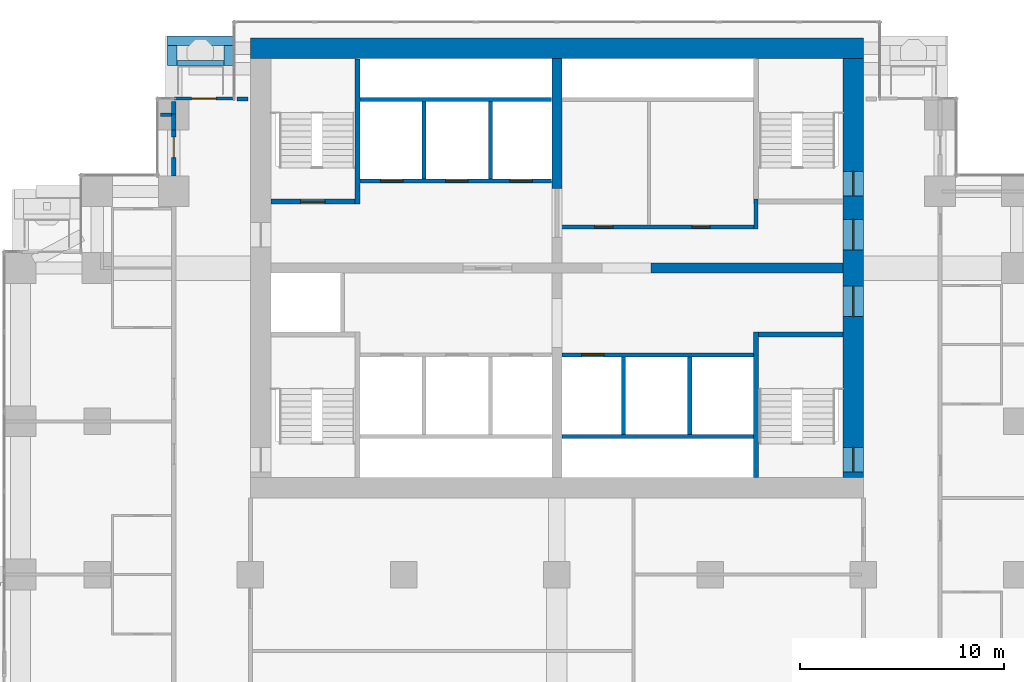
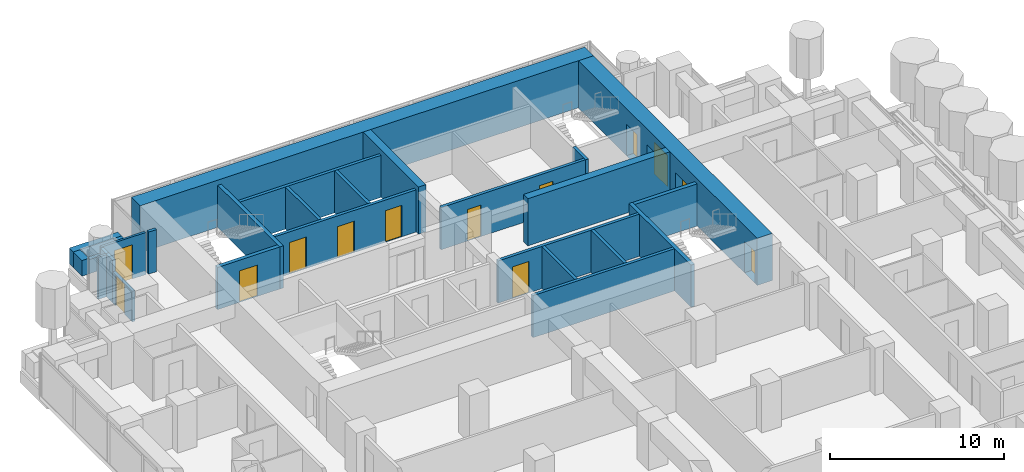
# One storey, part 15 of 20: 28 walls, 13 doors, 13 openings.
"""IFC4 building model written with IfcOpenShell, lengths in metres."""

from ifc_helpers import new_model, si_unit, direction, frame, frame_2d, origin, place, context, subcontext, project, spatial, rectangle, extrude, material, layer, layer_set, type_object, element, fill, save


model = new_model("IFC4")

# Units and contexts
model_context = context("Model", 3, precision=1e-05, world=origin(), true_north=direction((0.0, 1.0)))
body_context = subcontext(model_context, "Body", "Model", "MODEL_VIEW")
ifc_project = project(units=[si_unit("LENGTHUNIT", "METRE"), si_unit("AREAUNIT", "SQUARE_METRE"), si_unit("VOLUMEUNIT", "CUBIC_METRE"), si_unit("PLANEANGLEUNIT", "RADIAN"), si_unit("MASSUNIT", "GRAM", prefix="KILO")], contexts=[model_context])

# Site, building, storey
site_placement = place(None, origin())
site = spatial("IfcSite", under=ifc_project, at=site_placement, CompositionType="ELEMENT")
building_placement = place(site_placement, origin())
building = spatial("IfcBuilding", under=site, at=building_placement, Name="Pilkhan Gate Tower", CompositionType="ELEMENT")
storey_placement = place(building_placement, frame((0.0, 0.0, 98.89990234375)))
storey = spatial("IfcBuildingStorey", under=building, at=storey_placement, Name="L24", CompositionType="ELEMENT", Elevation=98.89990234375)

# Walls
ifc_material_1 = material(Name="Concrete C40/50", Category="concrete")
ifc_layer_1 = layer(ifc_material_1, 0.25)
ifc_layer_set_1 = layer_set([ifc_layer_1], Name="Balcony planter BP250")
wall_type_1 = type_object("IfcWallType", Name="Balcony planter BP250", PredefinedType="USERDEFINED", material=ifc_layer_set_1)
wall_1_placement = place(storey_placement, frame((56.39990234375, 92.52490234375, 0.0), z_axis=(0.0, 0.0, 1.0), x_axis=(1.0, 0.0, 0.0)))
element("IfcWall", 1, at=wall_1_placement, inside=storey, type_object=wall_type_1, Name="Balcony planter L24 N", ObjectType="BALCONY PLANTER", PredefinedType="USERDEFINED", context=body_context, shape_type="SweptSolid", body=[
    extrude(rectangle(XDim=2.300048828125, YDim=0.25, at=frame_2d((1.14990234375, 0.0))), origin(), (0.0, 0.0, 1.0), 1.0),
])
ifc_material_2 = material(Name="Board-marked Concrete C40/50", Category="concrete")
ifc_layer_2 = layer(ifc_material_2, 0.449951171875)
ifc_layer_set_2 = layer_set([ifc_layer_2], Name="Balcony planter lip BL450")
wall_type_2 = type_object("IfcWallType", Name="Balcony planter lip BL450", PredefinedType="USERDEFINED", material=ifc_layer_set_2)
wall_2_placement = place(storey_placement, frame((55.949951171875, 93.625, 0.0), z_axis=(0.0, 0.0, 1.0), x_axis=(1.0, 0.0, 0.0)))
element("IfcWall", 2, at=wall_2_placement, inside=storey, type_object=wall_type_2, Name="Balcony planter L24 N", ObjectType="BALCONY PLANTER", PredefinedType="USERDEFINED", context=body_context, shape_type="SweptSolid", body=[
    extrude(rectangle(XDim=3.199951171875, YDim=0.449951171875, at=frame_2d((1.60009765625, 0.0))), origin(), (0.0, 0.0, 1.0), 1.10009765625),
])
for number, where, z_axis, x_axis, name in (
    (3, (56.175048828125, 92.39990234375, 0.0), (0.0, 0.0, 1.0), (0.0, 1.0, 0.0), "Balcony planter L24 N"),
    (4, (58.925048828125, 92.39990234375, 0.0), (0.0, 0.0, 1.0), (0.0, 1.0, 0.0), "Balcony planter L24 N"),
):
    element("IfcWall", number, at=place(storey_placement, frame(where, z_axis=z_axis, x_axis=x_axis)), inside=storey, type_object=wall_type_2, Name=name, ObjectType="BALCONY PLANTER", PredefinedType="USERDEFINED", context=body_context, shape_type="SweptSolid", body=[
        extrude(rectangle(XDim=1.0, YDim=0.449951171875, at=frame_2d((0.5, 0.0))), origin(), (0.0, 0.0, 1.0), 1.10009765625),
    ])

# Wall, openings, doors
ifc_material_3 = material(Name="Concrete C70/85", Category="concrete")
ifc_layer_3 = layer(ifc_material_3, 1.0)
ifc_layer_set_3 = layer_set([ifc_layer_3], Name="Core wall CW1000 C70/85")
wall_type_3 = type_object("IfcWallType", Name="Core wall CW1000 C70/85", PredefinedType="SHEAR", material=ifc_layer_set_3)
wall_3_placement = place(storey_placement, frame((89.5, 72.25, 0.0), z_axis=(0.0, 0.0, 1.0), x_axis=(0.0, 1.0, 0.0)))
wall_3 = element("IfcWall", 5, at=wall_3_placement, inside=storey, type_object=wall_type_3, Name="Core wall E L24", PredefinedType="SHEAR", context=body_context, shape_type="SweptSolid", body=[
    extrude(rectangle(XDim=20.5, YDim=1.0, at=frame_2d((10.25, 0.0))), origin(), (0.0, 0.0, 1.0), 3.300048828125),
])
opening_1_placement = place(wall_3_placement, frame((0.27490234375, 0.0, 0.0)))
opening_1 = element("IfcOpeningElement", 6, at=opening_1_placement, cuts=wall_3, Name="Opening L24-03", PredefinedType="OPENING", context=body_context, shape_type="SweptSolid", body=[
    extrude(rectangle(XDim=1.199951171875, YDim=2.199951171875, at=frame_2d((0.60009765625, 1.10009765625))), frame((0.0, 0.510009765625, 0.0), z_axis=(0.0, -1.0, 0.0), x_axis=(1.0, 0.0, 0.0)), (0.0, 0.0, 1.0), 1.02001953125),
])
opening_2_placement = place(wall_3_placement, frame((13.77490234375, 0.0, 0.0)))
opening_2 = element("IfcOpeningElement", 7, at=opening_2_placement, cuts=wall_3, Name="Opening L24-05", PredefinedType="OPENING", context=body_context, shape_type="SweptSolid", body=[
    extrude(rectangle(XDim=1.199951171875, YDim=2.199951171875, at=frame_2d((0.60009765625, 1.10009765625))), frame((0.0, 0.510009765625, 0.0), z_axis=(0.0, -1.0, 0.0), x_axis=(1.0, 0.0, 0.0)), (0.0, 0.0, 1.0), 1.02001953125),
])
opening_3_placement = place(wall_3_placement, frame((7.875, 0.0, 0.0)))
opening_3 = element("IfcOpeningElement", 8, at=opening_3_placement, cuts=wall_3, Name="Opening L24-46", PredefinedType="OPENING", context=body_context, shape_type="SweptSolid", body=[
    extrude(rectangle(XDim=1.5, YDim=2.199951171875, at=frame_2d((0.75, 1.10009765625))), frame((0.0, 0.510009765625, 0.0), z_axis=(0.0, -1.0, 0.0), x_axis=(1.0, 0.0, 0.0)), (0.0, 0.0, 1.0), 1.02001953125),
])
opening_4_placement = place(wall_3_placement, frame((11.125, 0.0, 0.0)))
opening_4 = element("IfcOpeningElement", 9, at=opening_4_placement, cuts=wall_3, Name="Opening L24-48", PredefinedType="OPENING", context=body_context, shape_type="SweptSolid", body=[
    extrude(rectangle(XDim=1.5, YDim=2.199951171875, at=frame_2d((0.75, 1.10009765625))), frame((0.0, 0.510009765625, 0.0), z_axis=(0.0, -1.0, 0.0), x_axis=(1.0, 0.0, 0.0)), (0.0, 0.0, 1.0), 1.02001953125),
])
ifc_material_4 = material(Name="Steel framed glazed door, 60 minute fire resisting", Category="steel")
door_type_1 = type_object("IfcDoorType", Name="Lobby door D09 1500x2200", OperationType="DOUBLE_DOOR_SINGLE_SWING", PredefinedType="DOOR", material=ifc_material_4)
door_1_placement = place(opening_3_placement, origin())
door_1 = element("IfcDoor", 10, at=door_1_placement, inside=storey, type_object=door_type_1, Name="Core door", OperationType="DOUBLE_DOOR_SINGLE_SWING", OverallHeight=2.199951171875, OverallWidth=1.5, PredefinedType="DOOR", context=body_context, shape_type="SweptSolid", body=[
    extrude(rectangle(XDim=1.5, YDim=2.199951171875, at=frame_2d((0.75, 1.10009765625))), frame((0.0, 0.02490234375, 0.0), z_axis=(0.0, -1.0, 0.0), x_axis=(1.0, 0.0, 0.0)), (0.0, 0.0, 1.0), 0.050048828125),
])
fill(opening_3, door_1)
door_2_placement = place(opening_4_placement, origin())
door_2 = element("IfcDoor", 11, at=door_2_placement, inside=storey, type_object=door_type_1, Name="Core door", OperationType="DOUBLE_DOOR_SINGLE_SWING", OverallHeight=2.199951171875, OverallWidth=1.5, PredefinedType="DOOR", context=body_context, shape_type="SweptSolid", body=[
    extrude(rectangle(XDim=1.5, YDim=2.199951171875, at=frame_2d((0.75, 1.10009765625))), frame((0.0, 0.02490234375, 0.0), z_axis=(0.0, -1.0, 0.0), x_axis=(1.0, 0.0, 0.0)), (0.0, 0.0, 1.0), 0.050048828125),
])
fill(opening_4, door_2)
ifc_material_5 = material(Name="Steel door, 120 minute fire resisting, panic bar", Category="steel")
door_type_2 = type_object("IfcDoorType", Name="Stair door D11 1200x2200", OperationType="SINGLE_SWING_LEFT", PredefinedType="DOOR", material=ifc_material_5)
door_3_placement = place(opening_1_placement, origin())
door_3 = element("IfcDoor", 12, at=door_3_placement, inside=storey, type_object=door_type_2, Name="Stair ST1 door", OperationType="SINGLE_SWING_RIGHT", OverallHeight=2.199951171875, OverallWidth=1.199951171875, PredefinedType="DOOR", context=body_context, shape_type="SweptSolid", body=[
    extrude(rectangle(XDim=1.199951171875, YDim=2.199951171875, at=frame_2d((0.60009765625, 1.10009765625))), frame((0.0, 0.02490234375, 0.0), z_axis=(0.0, -1.0, 0.0), x_axis=(1.0, 0.0, 0.0)), (0.0, 0.0, 1.0), 0.050048828125),
])
fill(opening_1, door_3)
door_4_placement = place(opening_2_placement, origin())
door_4 = element("IfcDoor", 13, at=door_4_placement, inside=storey, type_object=door_type_2, Name="Stair ST4 door", OperationType="SINGLE_SWING_LEFT", OverallHeight=2.199951171875, OverallWidth=1.199951171875, PredefinedType="DOOR", context=body_context, shape_type="SweptSolid", body=[
    extrude(rectangle(XDim=1.199951171875, YDim=2.199951171875, at=frame_2d((0.60009765625, 1.10009765625))), frame((0.0, 0.02490234375, 0.0), z_axis=(0.0, -1.0, 0.0), x_axis=(1.0, 0.0, 0.0)), (0.0, 0.0, 1.0), 0.050048828125),
])
fill(opening_2, door_4)

# Walls
wall_4_placement = place(storey_placement, frame((90.0, 93.25, 0.0), z_axis=(0.0, 0.0, 1.0), x_axis=(-1.0, 0.0, 0.0)))
element("IfcWall", 14, at=wall_4_placement, inside=storey, type_object=wall_type_3, Name="Core wall N L24", PredefinedType="SHEAR", context=body_context, shape_type="SweptSolid", body=[
    extrude(rectangle(XDim=30.0, YDim=1.0, at=frame_2d((15.0, 0.0))), origin(), (0.0, 0.0, 1.0), 3.300048828125),
])
ifc_material_6 = material(Name="Dense blockwork", Category="masonry")
ifc_layer_4 = layer(ifc_material_6, 0.199951171875)
ifc_layer_set_4 = layer_set([ifc_layer_4], Name="Corridor wall FW200")
wall_type_4 = type_object("IfcWallType", Name="Corridor wall FW200", PredefinedType="PARTITIONING", material=ifc_layer_set_4)
wall_5_placement = place(storey_placement, frame((59.35498046875, 90.764892578125, 0.0), z_axis=(0.0, 0.0, 1.0), x_axis=(1.0, 0.0, 0.0)))
element("IfcWall", 15, at=wall_5_placement, inside=storey, type_object=wall_type_4, Name="Partition L24", PredefinedType="PARTITIONING", context=body_context, shape_type="SweptSolid", body=[
    extrude(rectangle(XDim=0.52490234375, YDim=0.199951171875, at=frame_2d((0.262451171875, 0.0))), origin(), (0.0, 0.0, 1.0), 2.9501953125),
])

# Wall, opening, door
wall_6_placement = place(storey_placement, frame((56.25, 87.0, 0.0), z_axis=(0.0, 0.0, 1.0), x_axis=(0.0, 1.0, 0.0)))
wall_6 = element("IfcWall", 16, at=wall_6_placement, inside=storey, type_object=wall_type_4, Name="Partition L24", PredefinedType="PARTITIONING", context=body_context, shape_type="SweptSolid", body=[
    extrude(rectangle(XDim=2.25, YDim=0.199951171875, at=frame_2d((1.125, 0.0))), origin(), (0.0, 0.0, 1.0), 2.150146484375),
])
opening_5_placement = place(wall_6_placement, frame((0.89990234375, 0.0, 0.0)))
opening_5 = element("IfcOpeningElement", 17, at=opening_5_placement, cuts=wall_6, Name="Opening L24-34", PredefinedType="OPENING", context=body_context, shape_type="SweptSolid", body=[
    extrude(rectangle(XDim=1.0, YDim=2.10009765625, at=frame_2d((0.5, 1.050048828125))), frame((0.0, 0.10986328125, 0.0), z_axis=(0.0, -1.0, 0.0), x_axis=(1.0, 0.0, 0.0)), (0.0, 0.0, 1.0), 0.219970703125),
])
ifc_material_7 = material(Name="Timber flush door, 30 minute fire resisting", Category="wood")
door_type_3 = type_object("IfcDoorType", Name="Guest room door D01A 1000x2100", OperationType="SINGLE_SWING_LEFT", PredefinedType="DOOR", material=ifc_material_7)
door_5_placement = place(opening_5_placement, origin())
door_5 = element("IfcDoor", 18, at=door_5_placement, inside=storey, type_object=door_type_3, Name="Guest room door", OperationType="SINGLE_SWING_LEFT", OverallHeight=2.10009765625, OverallWidth=1.0, PredefinedType="DOOR", context=body_context, shape_type="SweptSolid", body=[
    extrude(rectangle(XDim=1.0, YDim=2.10009765625, at=frame_2d((0.5, 1.050048828125))), frame((0.0, 0.02490234375, 0.0), z_axis=(0.0, -1.0, 0.0), x_axis=(1.0, 0.0, 0.0)), (0.0, 0.0, 1.0), 0.050048828125),
])
fill(opening_5, door_5)

# Walls
wall_7_placement = place(storey_placement, frame((56.25, 89.25, 0.0), z_axis=(0.0, 0.0, 1.0), x_axis=(0.0, 1.0, 0.0)))
element("IfcWall", 19, at=wall_7_placement, inside=storey, type_object=wall_type_4, Name="Partition L24", PredefinedType="PARTITIONING", context=body_context, shape_type="SweptSolid", body=[
    extrude(rectangle(XDim=0.824951171875, YDim=0.199951171875, at=frame_2d((0.41259765625, 0.0))), origin(), (0.0, 0.0, 1.0), 2.9501953125),
])
wall_8_placement = place(storey_placement, frame((56.25, 90.030029296875, 0.0), z_axis=(0.0, 0.0, 1.0), x_axis=(0.0, 1.0, 0.0)))
element("IfcWall", 20, at=wall_8_placement, inside=storey, type_object=wall_type_4, Name="Partition L24", PredefinedType="PARTITIONING", context=body_context, shape_type="SweptSolid", body=[
    extrude(rectangle(XDim=0.614990234375, YDim=0.199951171875, at=frame_2d((0.3076171875, 0.0))), origin(), (0.0, 0.0, 1.0), 2.9501953125),
])

# Wall, opening, door
ifc_material_8 = material(Name="Pale anodised aluminium, clear laminated glazing", Category="aluminium")
ifc_layer_5 = layer(ifc_material_8, 0.14990234375)
ifc_layer_set_5 = layer_set([ifc_layer_5], Name="Facade infill wall IW150")
wall_type_5 = type_object("IfcWallType", Name="Facade infill wall IW150", PredefinedType="SOLIDWALL", material=ifc_layer_set_5)
wall_9_placement = place(storey_placement, frame((56.25, 90.794921875, 0.0), z_axis=(0.0, 0.0, 1.0), x_axis=(1.0, 0.0, 0.0)))
wall_9 = element("IfcWall", 21, at=wall_9_placement, inside=storey, type_object=wall_type_5, Name="Infill wall L24 N", PredefinedType="SOLIDWALL", context=body_context, shape_type="SweptSolid", body=[
    extrude(rectangle(XDim=2.955078125, YDim=0.14990234375, at=frame_2d((1.4775390625, 0.0))), origin(), (0.0, 0.0, 1.0), 2.9501953125),
])
opening_6_placement = place(wall_9_placement, frame((0.87744140625, 0.0, 0.0)))
opening_6 = element("IfcOpeningElement", 22, at=opening_6_placement, cuts=wall_9, Name="Opening D1", PredefinedType="OPENING", context=body_context, shape_type="SweptSolid", body=[
    extrude(rectangle(XDim=1.199951171875, YDim=2.39990234375, at=frame_2d((0.60009765625, 1.199951171875))), frame((0.0, 0.0849609375, 0.0), z_axis=(0.0, -1.0, 0.0), x_axis=(1.0, 0.0, 0.0)), (0.0, 0.0, 1.0), 0.169921875),
])
ifc_material_9 = material(Name="Pale anodised aluminium, clear glazing", Category="aluminium")
door_type_4 = type_object("IfcDoorType", Name="Balcony door D1 1200x2400", OperationType="SINGLE_SWING_LEFT", PredefinedType="DOOR", material=ifc_material_9)
door_6_placement = place(opening_6_placement, origin())
door_6 = element("IfcDoor", 23, at=door_6_placement, inside=storey, type_object=door_type_4, Name="Balcony door L24", OperationType="SINGLE_SWING_LEFT", OverallHeight=2.39990234375, OverallWidth=1.199951171875, PredefinedType="DOOR", context=body_context, shape_type="SweptSolid", body=[
    extrude(rectangle(XDim=1.199951171875, YDim=2.39990234375, at=frame_2d((0.60009765625, 1.199951171875))), frame((0.0, 0.02490234375, 0.0), z_axis=(0.0, -1.0, 0.0), x_axis=(1.0, 0.0, 0.0)), (0.0, 0.0, 1.0), 0.050048828125),
])
fill(opening_6, door_6)

# Wall, openings, doors
ifc_layer_6 = layer(ifc_material_6, 0.199951171875)
ifc_layer_set_6 = layer_set([ifc_layer_6], Name="Lobby wall LW200")
wall_type_6 = type_object("IfcWallType", Name="Lobby wall LW200", PredefinedType="PARTITIONING", material=ifc_layer_set_6)
wall_10_placement = place(storey_placement, frame((75.10009765625, 84.5, 0.0), z_axis=(0.0, 0.0, 1.0), x_axis=(1.0, 0.0, 0.0)))
wall_10 = element("IfcWall", 24, at=wall_10_placement, inside=storey, type_object=wall_type_6, Name="Partition L24", PredefinedType="PARTITIONING", context=body_context, shape_type="SweptSolid", body=[
    extrude(rectangle(XDim=9.5498046875, YDim=0.199951171875, at=frame_2d((4.77490234375, 0.0))), origin(), (0.0, 0.0, 1.0), 2.9501953125),
])
opening_7_placement = place(wall_10_placement, frame((1.75, 0.0, 0.0)))
opening_7 = element("IfcOpeningElement", 25, at=opening_7_placement, cuts=wall_10, Name="Opening L24-49", PredefinedType="OPENING", context=body_context, shape_type="SweptSolid", body=[
    extrude(rectangle(XDim=0.89990234375, YDim=2.199951171875, at=frame_2d((0.449951171875, 1.10009765625))), frame((0.0, 0.10986328125, 0.0), z_axis=(0.0, -1.0, 0.0), x_axis=(1.0, 0.0, 0.0)), (0.0, 0.0, 1.0), 0.219970703125),
])
opening_8_placement = place(wall_10_placement, frame((6.5, 0.0, 0.0)))
opening_8 = element("IfcOpeningElement", 26, at=opening_8_placement, cuts=wall_10, Name="Opening L24-50", PredefinedType="OPENING", context=body_context, shape_type="SweptSolid", body=[
    extrude(rectangle(XDim=0.89990234375, YDim=2.199951171875, at=frame_2d((0.449951171875, 1.10009765625))), frame((0.0, 0.10986328125, 0.0), z_axis=(0.0, -1.0, 0.0), x_axis=(1.0, 0.0, 0.0)), (0.0, 0.0, 1.0), 0.219970703125),
])
ifc_material_10 = material(Name="Timber flush door, 60 minute fire resisting, self-closing", Category="wood")
door_type_5 = type_object("IfcDoorType", Name="Store door D05 900x2200", OperationType="SINGLE_SWING_LEFT", PredefinedType="DOOR", material=ifc_material_10)
door_7_placement = place(opening_7_placement, origin())
door_7 = element("IfcDoor", 27, at=door_7_placement, inside=storey, type_object=door_type_5, Name="Store door", OperationType="SINGLE_SWING_LEFT", OverallHeight=2.199951171875, OverallWidth=0.89990234375, PredefinedType="DOOR", context=body_context, shape_type="SweptSolid", body=[
    extrude(rectangle(XDim=0.89990234375, YDim=2.199951171875, at=frame_2d((0.449951171875, 1.10009765625))), frame((0.0, 0.02490234375, 0.0), z_axis=(0.0, -1.0, 0.0), x_axis=(1.0, 0.0, 0.0)), (0.0, 0.0, 1.0), 0.050048828125),
])
fill(opening_7, door_7)
door_8_placement = place(opening_8_placement, origin())
door_8 = element("IfcDoor", 28, at=door_8_placement, inside=storey, type_object=door_type_5, Name="Store door", OperationType="SINGLE_SWING_LEFT", OverallHeight=2.199951171875, OverallWidth=0.89990234375, PredefinedType="DOOR", context=body_context, shape_type="SweptSolid", body=[
    extrude(rectangle(XDim=0.89990234375, YDim=2.199951171875, at=frame_2d((0.449951171875, 1.10009765625))), frame((0.0, 0.02490234375, 0.0), z_axis=(0.0, -1.0, 0.0), x_axis=(1.0, 0.0, 0.0)), (0.0, 0.0, 1.0), 0.050048828125),
])
fill(opening_8, door_8)

# Walls
wall_11_placement = place(storey_placement, frame((84.75, 84.39990234375, 0.0), z_axis=(0.0, 0.0, 1.0), x_axis=(0.0, 1.0, 0.0)))
element("IfcWall", 29, at=wall_11_placement, inside=storey, type_object=wall_type_6, Name="Partition L24", PredefinedType="PARTITIONING", context=body_context, shape_type="SweptSolid", body=[
    extrude(rectangle(XDim=1.47509765625, YDim=0.199951171875, at=frame_2d((0.737548828125, 0.0))), origin(), (0.0, 0.0, 1.0), 2.9501953125),
])
ifc_material_11 = material(Name="Blockwork partition, plastered both sides", Category="masonry")
ifc_layer_7 = layer(ifc_material_11, 0.14990234375)
ifc_layer_set_7 = layer_set([ifc_layer_7], Name="Partition PW150")
wall_type_7 = type_object("IfcWallType", Name="Partition PW150", PredefinedType="PARTITIONING", material=ifc_layer_set_7)
wall_12_placement = place(storey_placement, frame((55.60498046875, 90.0, 0.0), z_axis=(0.0, 0.0, 1.0), x_axis=(1.0, 0.0, 0.0)))
element("IfcWall", 30, at=wall_12_placement, inside=storey, type_object=wall_type_7, Name="Partition L24", PredefinedType="PARTITIONING", context=body_context, shape_type="SweptSolid", body=[
    extrude(rectangle(XDim=0.544921875, YDim=0.14990234375, at=frame_2d((0.2724609375, 0.0))), origin(), (0.0, 0.0, 1.0), 2.9501953125),
])
ifc_material_12 = material(Name="Reinforced blockwork shaft wall, 120 minute fire resisting", Category="masonry")
ifc_layer_8 = layer(ifc_material_12, 0.199951171875)
ifc_layer_set_8 = layer_set([ifc_layer_8], Name="Shaft wall SW200")
wall_type_8 = type_object("IfcWallType", Name="Shaft wall SW200", PredefinedType="PARTITIONING", material=ifc_layer_set_8)
wall_13_placement = place(storey_placement, frame((75.260009765625, 74.25, 0.0), z_axis=(0.0, 0.0, 1.0), x_axis=(1.0, 0.0, 0.0)))
element("IfcWall", 31, at=wall_13_placement, inside=storey, type_object=wall_type_8, Name="Partition L24", PredefinedType="PARTITIONING", context=body_context, shape_type="SweptSolid", body=[
    extrude(rectangle(XDim=9.364990234375, YDim=0.199951171875, at=frame_2d((4.6826171875, 0.0))), origin(), (0.0, 0.0, 1.0), 2.9501953125),
])

# Wall, opening, door
wall_14_placement = place(storey_placement, frame((75.260009765625, 78.25, 0.0), z_axis=(0.0, 0.0, 1.0), x_axis=(1.0, 0.0, 0.0)))
wall_14 = element("IfcWall", 32, at=wall_14_placement, inside=storey, type_object=wall_type_8, Name="Partition L24", PredefinedType="PARTITIONING", context=body_context, shape_type="SweptSolid", body=[
    extrude(rectangle(XDim=9.364990234375, YDim=0.199951171875, at=frame_2d((4.6826171875, 0.0))), origin(), (0.0, 0.0, 1.0), 2.9501953125),
])
opening_9_placement = place(wall_14_placement, frame((0.949951171875, 0.0, 0.0)))
opening_9 = element("IfcOpeningElement", 33, at=opening_9_placement, cuts=wall_14, Name="Opening LD", PredefinedType="OPENING", context=body_context, shape_type="SweptSolid", body=[
    extrude(rectangle(XDim=1.10009765625, YDim=2.199951171875, at=frame_2d((0.550048828125, 1.10009765625))), frame((0.0, 0.10986328125, 0.0), z_axis=(0.0, -1.0, 0.0), x_axis=(1.0, 0.0, 0.0)), (0.0, 0.0, 1.0), 0.219970703125),
])
ifc_material_13 = material(Name="Stainless steel centre-opening landing door, 120 minute fire resisting", Category="steel")
door_type_6 = type_object("IfcDoorType", Name="Lift landing door LD 1100x2200", OperationType="DOUBLE_DOOR_SLIDING", PredefinedType="DOOR", material=ifc_material_13)
door_9_placement = place(opening_9_placement, origin())
door_9 = element("IfcDoor", 34, at=door_9_placement, inside=storey, type_object=door_type_6, Name="Landing door LR4", OperationType="DOUBLE_DOOR_SLIDING", OverallHeight=2.199951171875, OverallWidth=1.10009765625, PredefinedType="DOOR", context=body_context, shape_type="SweptSolid", body=[
    extrude(rectangle(XDim=1.10009765625, YDim=2.199951171875, at=frame_2d((0.550048828125, 1.10009765625))), frame((0.0, 0.02490234375, 0.0), z_axis=(0.0, -1.0, 0.0), x_axis=(1.0, 0.0, 0.0)), (0.0, 0.0, 1.0), 0.050048828125),
])
fill(opening_9, door_9)

# Wall, openings, doors
wall_15_placement = place(storey_placement, frame((65.375, 86.75, 0.0), z_axis=(0.0, 0.0, 1.0), x_axis=(1.0, 0.0, 0.0)))
wall_15 = element("IfcWall", 35, at=wall_15_placement, inside=storey, type_object=wall_type_8, Name="Partition L24", PredefinedType="PARTITIONING", context=body_context, shape_type="SweptSolid", body=[
    extrude(rectangle(XDim=9.364990234375, YDim=0.199951171875, at=frame_2d((4.6826171875, 0.0))), origin(), (0.0, 0.0, 1.0), 2.9501953125),
])
opening_10_placement = place(wall_15_placement, frame((1.0, 0.0, 0.0)))
opening_10 = element("IfcOpeningElement", 36, at=opening_10_placement, cuts=wall_15, Name="Opening LD", PredefinedType="OPENING", context=body_context, shape_type="SweptSolid", body=[
    extrude(rectangle(XDim=1.10009765625, YDim=2.199951171875, at=frame_2d((0.550048828125, 1.10009765625))), frame((0.0, 0.10986328125, 0.0), z_axis=(0.0, -1.0, 0.0), x_axis=(1.0, 0.0, 0.0)), (0.0, 0.0, 1.0), 0.219970703125),
])
opening_11_placement = place(wall_15_placement, frame((4.175048828125, 0.0, 0.0)))
opening_11 = element("IfcOpeningElement", 37, at=opening_11_placement, cuts=wall_15, Name="Opening LD", PredefinedType="OPENING", context=body_context, shape_type="SweptSolid", body=[
    extrude(rectangle(XDim=1.10009765625, YDim=2.199951171875, at=frame_2d((0.550048828125, 1.10009765625))), frame((0.0, 0.10986328125, 0.0), z_axis=(0.0, -1.0, 0.0), x_axis=(1.0, 0.0, 0.0)), (0.0, 0.0, 1.0), 0.219970703125),
])
opening_12_placement = place(wall_15_placement, frame((7.324951171875, 0.0, 0.0)))
opening_12 = element("IfcOpeningElement", 38, at=opening_12_placement, cuts=wall_15, Name="Opening LD", PredefinedType="OPENING", context=body_context, shape_type="SweptSolid", body=[
    extrude(rectangle(XDim=1.10009765625, YDim=2.199951171875, at=frame_2d((0.550048828125, 1.10009765625))), frame((0.0, 0.10986328125, 0.0), z_axis=(0.0, -1.0, 0.0), x_axis=(1.0, 0.0, 0.0)), (0.0, 0.0, 1.0), 0.219970703125),
])
door_10_placement = place(opening_10_placement, origin())
door_10 = element("IfcDoor", 39, at=door_10_placement, inside=storey, type_object=door_type_6, Name="Landing door FF1", OperationType="DOUBLE_DOOR_SLIDING", OverallHeight=2.199951171875, OverallWidth=1.10009765625, PredefinedType="DOOR", context=body_context, shape_type="SweptSolid", body=[
    extrude(rectangle(XDim=1.10009765625, YDim=2.199951171875, at=frame_2d((0.550048828125, 1.10009765625))), frame((0.0, 0.02490234375, 0.0), z_axis=(0.0, -1.0, 0.0), x_axis=(1.0, 0.0, 0.0)), (0.0, 0.0, 1.0), 0.050048828125),
])
fill(opening_10, door_10)
door_11_placement = place(opening_11_placement, origin())
door_11 = element("IfcDoor", 40, at=door_11_placement, inside=storey, type_object=door_type_6, Name="Landing door FF2", OperationType="DOUBLE_DOOR_SLIDING", OverallHeight=2.199951171875, OverallWidth=1.10009765625, PredefinedType="DOOR", context=body_context, shape_type="SweptSolid", body=[
    extrude(rectangle(XDim=1.10009765625, YDim=2.199951171875, at=frame_2d((0.550048828125, 1.10009765625))), frame((0.0, 0.02490234375, 0.0), z_axis=(0.0, -1.0, 0.0), x_axis=(1.0, 0.0, 0.0)), (0.0, 0.0, 1.0), 0.050048828125),
])
fill(opening_11, door_11)
door_12_placement = place(opening_12_placement, origin())
door_12 = element("IfcDoor", 41, at=door_12_placement, inside=storey, type_object=door_type_6, Name="Landing door SV1", OperationType="DOUBLE_DOOR_SLIDING", OverallHeight=2.199951171875, OverallWidth=1.10009765625, PredefinedType="DOOR", context=body_context, shape_type="SweptSolid", body=[
    extrude(rectangle(XDim=1.10009765625, YDim=2.199951171875, at=frame_2d((0.550048828125, 1.10009765625))), frame((0.0, 0.02490234375, 0.0), z_axis=(0.0, -1.0, 0.0), x_axis=(1.0, 0.0, 0.0)), (0.0, 0.0, 1.0), 0.050048828125),
])
fill(opening_12, door_12)

# Walls
wall_16_placement = place(storey_placement, frame((65.375, 90.75, 0.0), z_axis=(0.0, 0.0, 1.0), x_axis=(1.0, 0.0, 0.0)))
element("IfcWall", 42, at=wall_16_placement, inside=storey, type_object=wall_type_8, Name="Partition L24", PredefinedType="PARTITIONING", context=body_context, shape_type="SweptSolid", body=[
    extrude(rectangle(XDim=9.364990234375, YDim=0.199951171875, at=frame_2d((4.6826171875, 0.0))), origin(), (0.0, 0.0, 1.0), 2.9501953125),
])
for number, where, z_axis, x_axis, name in (
    (43, (68.5, 86.85009765625, 0.0), (0.0, 0.0, 1.0), (0.0, 1.0, 0.0), "Partition L24"),
    (44, (71.75, 86.85009765625, 0.0), (0.0, 0.0, 1.0), (0.0, 1.0, 0.0), "Partition L24"),
    (45, (78.25, 74.35009765625, 0.0), (0.0, 0.0, 1.0), (0.0, 1.0, 0.0), "Partition L24"),
    (46, (81.5, 74.35009765625, 0.0), (0.0, 0.0, 1.0), (0.0, 1.0, 0.0), "Partition L24"),
):
    element("IfcWall", number, at=place(storey_placement, frame(where, z_axis=z_axis, x_axis=x_axis)), inside=storey, type_object=wall_type_8, Name=name, PredefinedType="PARTITIONING", context=body_context, shape_type="SweptSolid", body=[
        extrude(rectangle(XDim=3.7998046875, YDim=0.199951171875, at=frame_2d((1.89990234375, 0.0))), origin(), (0.0, 0.0, 1.0), 2.9501953125),
    ])
ifc_layer_9 = layer(ifc_material_3, 0.5)
ifc_layer_set_9 = layer_set([ifc_layer_9], Name="Spine wall SW500 C70/85")
wall_type_9 = type_object("IfcWallType", Name="Spine wall SW500 C70/85", PredefinedType="SHEAR", material=ifc_layer_set_9)
wall_17_placement = place(storey_placement, frame((79.60009765625, 82.5, 0.0), z_axis=(0.0, 0.0, 1.0), x_axis=(1.0, 0.0, 0.0)))
element("IfcWall", 47, at=wall_17_placement, inside=storey, type_object=wall_type_9, Name="Spine wall SP-EW3 L24", PredefinedType="SHEAR", context=body_context, shape_type="SweptSolid", body=[
    extrude(rectangle(XDim=9.39990234375, YDim=0.5, at=frame_2d((4.699951171875, 0.0))), origin(), (0.0, 0.0, 1.0), 3.300048828125),
])
wall_18_placement = place(storey_placement, frame((75.0, 86.39990234375, 0.0), z_axis=(0.0, 0.0, 1.0), x_axis=(0.0, 1.0, 0.0)))
element("IfcWall", 48, at=wall_18_placement, inside=storey, type_object=wall_type_9, Name="Spine wall SP-NS-N2 L24", PredefinedType="SHEAR", context=body_context, shape_type="SweptSolid", body=[
    extrude(rectangle(XDim=6.35009765625, YDim=0.5, at=frame_2d((3.175048828125, 0.0))), origin(), (0.0, 0.0, 1.0), 3.300048828125),
])
ifc_material_14 = material(Name="Reinforced blockwork, 120 minute fire resisting", Category="masonry")
ifc_layer_10 = layer(ifc_material_14, 0.25)
ifc_layer_set_10 = layer_set([ifc_layer_10], Name="Stair enclosure wall SE250")
wall_type_10 = type_object("IfcWallType", Name="Stair enclosure wall SE250", PredefinedType="PARTITIONING", material=ifc_layer_set_10)
wall_19_placement = place(storey_placement, frame((84.875, 79.25, 0.0), z_axis=(0.0, 0.0, 1.0), x_axis=(1.0, 0.0, 0.0)))
element("IfcWall", 49, at=wall_19_placement, inside=storey, type_object=wall_type_10, Name="Partition L24", PredefinedType="PARTITIONING", context=body_context, shape_type="SweptSolid", body=[
    extrude(rectangle(XDim=4.114990234375, YDim=0.25, at=frame_2d((2.0576171875, 0.0))), origin(), (0.0, 0.0, 1.0), 2.9501953125),
])

# Wall, opening, door
wall_20_placement = place(storey_placement, frame((61.010009765625, 85.75, 0.0), z_axis=(0.0, 0.0, 1.0), x_axis=(1.0, 0.0, 0.0)))
wall_20 = element("IfcWall", 50, at=wall_20_placement, inside=storey, type_object=wall_type_10, Name="Partition L24", PredefinedType="PARTITIONING", context=body_context, shape_type="SweptSolid", body=[
    extrude(rectangle(XDim=4.114990234375, YDim=0.25, at=frame_2d((2.0576171875, 0.0))), origin(), (0.0, 0.0, 1.0), 2.9501953125),
])
opening_13_placement = place(wall_20_placement, frame((1.449951171875, 0.0, 0.0)))
opening_13 = element("IfcOpeningElement", 51, at=opening_13_placement, cuts=wall_20, Name="Opening L24-02", PredefinedType="OPENING", context=body_context, shape_type="SweptSolid", body=[
    extrude(rectangle(XDim=1.199951171875, YDim=2.199951171875, at=frame_2d((0.60009765625, 1.10009765625))), frame((0.0, 0.135009765625, 0.0), z_axis=(0.0, -1.0, 0.0), x_axis=(1.0, 0.0, 0.0)), (0.0, 0.0, 1.0), 0.27001953125),
])
door_13_placement = place(opening_13_placement, origin())
door_13 = element("IfcDoor", 52, at=door_13_placement, inside=storey, type_object=door_type_2, Name="Stair ST3 lobby door", OperationType="SINGLE_SWING_LEFT", OverallHeight=2.199951171875, OverallWidth=1.199951171875, PredefinedType="DOOR", context=body_context, shape_type="SweptSolid", body=[
    extrude(rectangle(XDim=1.199951171875, YDim=2.199951171875, at=frame_2d((0.60009765625, 1.10009765625))), frame((0.0, 0.02490234375, 0.0), z_axis=(0.0, -1.0, 0.0), x_axis=(1.0, 0.0, 0.0)), (0.0, 0.0, 1.0), 0.050048828125),
])
fill(opening_13, door_13)

# Walls
for number, where, z_axis, x_axis, name in (
    (53, (65.25, 85.625, 0.0), (0.0, 0.0, 1.0), (0.0, 1.0, 0.0), "Partition L24"),
    (54, (84.75, 72.260009765625, 0.0), (0.0, 0.0, 1.0), (0.0, 1.0, 0.0), "Partition L24"),
):
    element("IfcWall", number, at=place(storey_placement, frame(where, z_axis=z_axis, x_axis=x_axis)), inside=storey, type_object=wall_type_10, Name=name, PredefinedType="PARTITIONING", context=body_context, shape_type="SweptSolid", body=[
        extrude(rectangle(XDim=7.114990234375, YDim=0.25, at=frame_2d((3.5576171875, 0.0))), origin(), (0.0, 0.0, 1.0), 2.9501953125),
    ])

save(model, "model.ifc")
